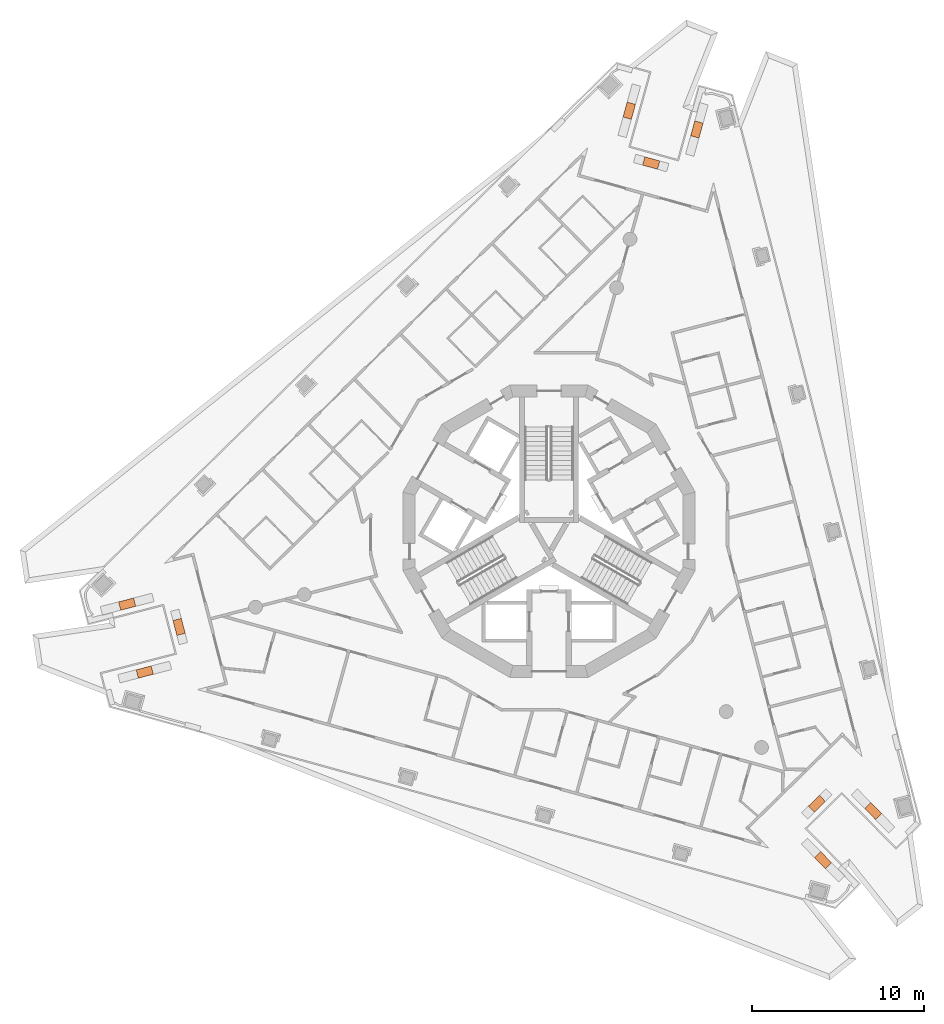
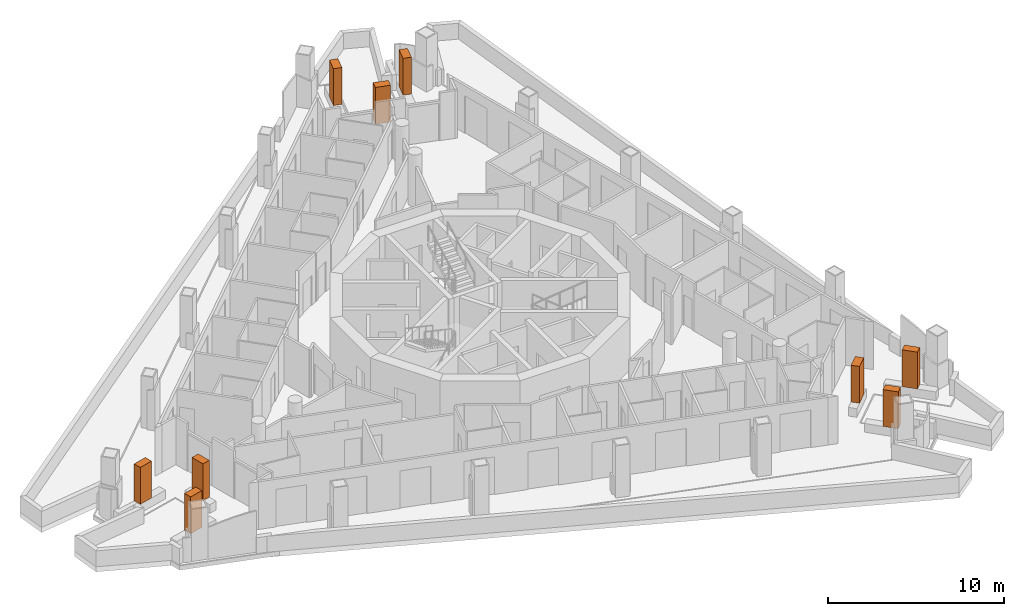
# One storey, part 14 of 14: 9 geographic elements.
"""IFC4 building model written with IfcOpenShell, lengths in metres."""

from ifc_helpers import new_model, si_unit, direction, frame, origin, origin_2d, place, context, subcontext, project, spatial, rectangle, extrude, element, save


model = new_model("IFC4")

# Units and contexts
model_context = context("Model", 3, precision=1e-05, world=origin(), true_north=direction((0.0, 1.0)))
body_context = subcontext(model_context, "Body", "Model", "MODEL_VIEW")
ifc_project = project(units=[si_unit("LENGTHUNIT", "METRE"), si_unit("AREAUNIT", "SQUARE_METRE"), si_unit("VOLUMEUNIT", "CUBIC_METRE"), si_unit("PLANEANGLEUNIT", "RADIAN"), si_unit("MASSUNIT", "GRAM", prefix="KILO")], contexts=[model_context])

# Site, building, storey
site_placement = place(None, origin())
site = spatial("IfcSite", under=ifc_project, at=site_placement, CompositionType="ELEMENT")
building_placement = place(site_placement, origin())
building = spatial("IfcBuilding", under=site, at=building_placement, Name="Trine Commons Tower", CompositionType="ELEMENT")
storey_placement = place(building_placement, frame((0.0, 0.0, 234.89990234375)))
storey = spatial("IfcBuildingStorey", under=building, at=storey_placement, Name="L61", CompositionType="ELEMENT", Elevation=234.89990234375)

# Geographic elements
for number, where, z_axis, x_axis, name in (
    (1, (56.49560546875, 54.314208984375, 0.60009765625), (0.0, 0.0, 1.0), (0.968152010186, 0.250363106652, 0.0), "Tree 1.1"),
    (2, (58.4921875, 56.937744140625, 0.60009765625), (0.0, 0.0, 1.0), (-0.250410419186, 0.968139773981, 0.0), "Tree 2.1"),
    (3, (55.473876953125, 58.264404296875, 0.60009765625), (0.0, 0.0, 1.0), (-0.968152010186, -0.250363106652, 0.0), "Tree 3.1"),
    (4, (84.6630859375, 86.948486328125, 0.60009765625), (0.0, 0.0, 1.0), (-0.26724005793, -0.963629986788, 0.0), "Tree 4.1"),
    (5, (85.936767578125, 83.907470703125, 0.60009765625), (0.0, 0.0, 1.0), (0.963633718069, -0.267226603091, 0.0), "Tree 5.1"),
    (6, (88.5947265625, 85.85791015625, 0.60009765625), (0.0, 0.0, 1.0), (0.26724005793, 0.963629986788, 0.0), "Tree 6.1"),
    (7, (98.84130859375, 46.2373046875, 0.60009765625), (0.0, 0.0, 1.0), (-0.700898060502, 0.713261458923, 0.0), "Tree 7.1"),
    (8, (95.57080078125, 46.65478515625, 0.60009765625), (0.0, 0.0, 1.0), (-0.713239439209, -0.700920467925, 0.0), "Tree 8.1"),
    (9, (95.931396484375, 43.377685546875, 0.60009765625), (0.0, 0.0, 1.0), (0.700898060502, -0.713261458923, 0.0), "Tree 9.1"),
):
    element("IfcGeographicElement", number, at=place(storey_placement, frame(where, z_axis=z_axis, x_axis=x_axis)), inside=storey, Name=name, ObjectType="TREE Tabebuia rosea", PredefinedType="USERDEFINED", context=body_context, shape_type="SweptSolid", body=[
        extrude(rectangle(XDim=0.89990234375, YDim=0.5, at=origin_2d()), origin(), (0.0, 0.0, 1.0), 2.550048828125),
    ])

save(model, "model.ifc")
